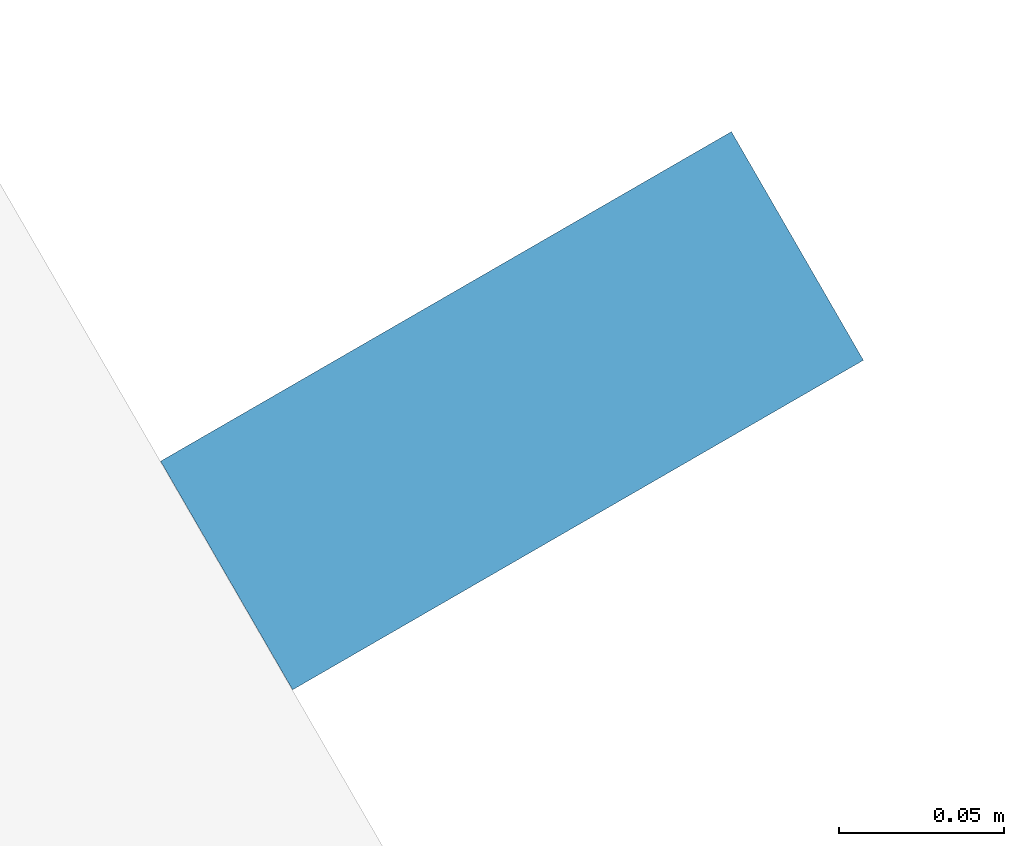
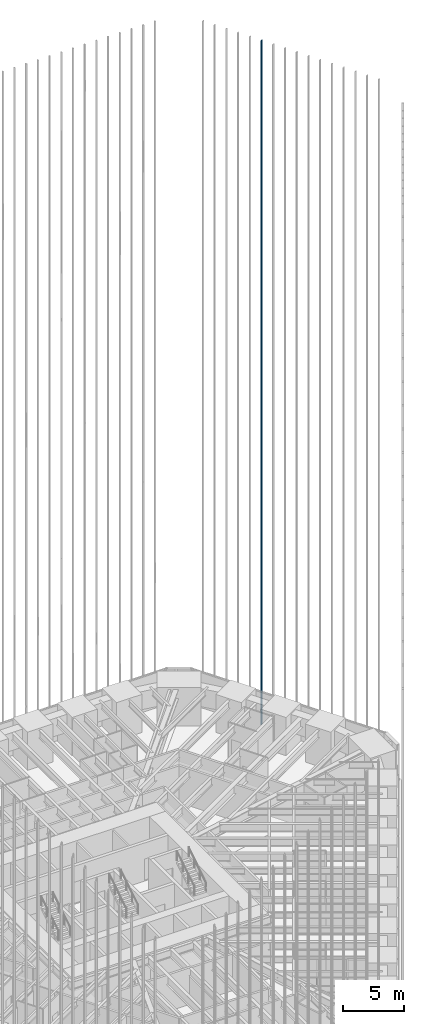
# One storey, part 201 of 256: 1 member, 1 element without a shape of its own.
"""IFC4 building model written with IfcOpenShell, lengths in metres."""

from ifc_helpers import new_model, si_unit, direction, frame, origin, origin_2d, place, context, subcontext, project, spatial, rectangle, extrude, material, material_profile, profile_set, type_object, element, aggregate, save


model = new_model("IFC4")

# Units and contexts
model_context = context("Model", 3, precision=1e-05, world=origin(), true_north=direction((0.0, 1.0)))
body_context = subcontext(model_context, "Body", "Model", "MODEL_VIEW")
ifc_project = project(units=[si_unit("LENGTHUNIT", "METRE"), si_unit("AREAUNIT", "SQUARE_METRE"), si_unit("VOLUMEUNIT", "CUBIC_METRE"), si_unit("PLANEANGLEUNIT", "RADIAN"), si_unit("MASSUNIT", "GRAM", prefix="KILO")], contexts=[model_context])

# Site, building, storey
site_placement = place(None, origin())
site = spatial("IfcSite", under=ifc_project, at=site_placement, CompositionType="ELEMENT")
building_placement = place(site_placement, origin())
building = spatial("IfcBuilding", under=site, at=building_placement, Name="Sandreach Pilgrim Tower", CompositionType="ELEMENT")
storey_placement = place(building_placement, frame((0.0, 0.0, 23.0)))
storey = spatial("IfcBuildingStorey", under=building, at=storey_placement, Name="L04", CompositionType="ELEMENT", Elevation=23.0)

# Curtain wall, member
ifc_material_1 = material(Name="Aluminium framed curtain wall", Category="aluminium")
curtain_wall_type = type_object("IfcCurtainWallType", Name="Hostel tower curtain wall", PredefinedType="NOTDEFINED", material=ifc_material_1)
curtain_wall_placement = place(storey_placement, origin())
curtain_wall = element("IfcCurtainWall", 1, at=curtain_wall_placement, inside=storey, type_object=curtain_wall_type, Name="CW-1 L04 NE", PredefinedType="NOTDEFINED")
ifc_material_2 = material(Name="Extruded terracotta on aluminium core", Category="masonry")
ifc_material_profile = material_profile(ifc_material_2, rectangle(XDim=0.080078125, YDim=0.199951171875, at=origin_2d()), Name="TBE 80X200")
ifc_profile_set = profile_set([ifc_material_profile], Name="Extruded terracotta on aluminium core")
member_type = type_object("IfcMemberType", Name="Terracotta baguette east", PredefinedType="USERDEFINED", material=ifc_profile_set)
member_placement = place(storey_placement, frame((24.953857421875, 17.6005859375, 0.0), z_axis=(0.0, 0.0, 1.0), x_axis=(0.5, -0.866025403784, 0.0)))
member = element("IfcMember", 2, at=member_placement, type_object=member_type, Name="Baguette Z1 NE06", ObjectType="BAGUETTE", PredefinedType="USERDEFINED", context=body_context, shape_type="SweptSolid", body=[
    extrude(rectangle(XDim=0.080078125, YDim=0.199951171875, at=origin_2d()), origin(), (0.0, 0.0, 1.0), 68.239990234375),
])
aggregate(curtain_wall, [member])

save(model, "model.ifc")
